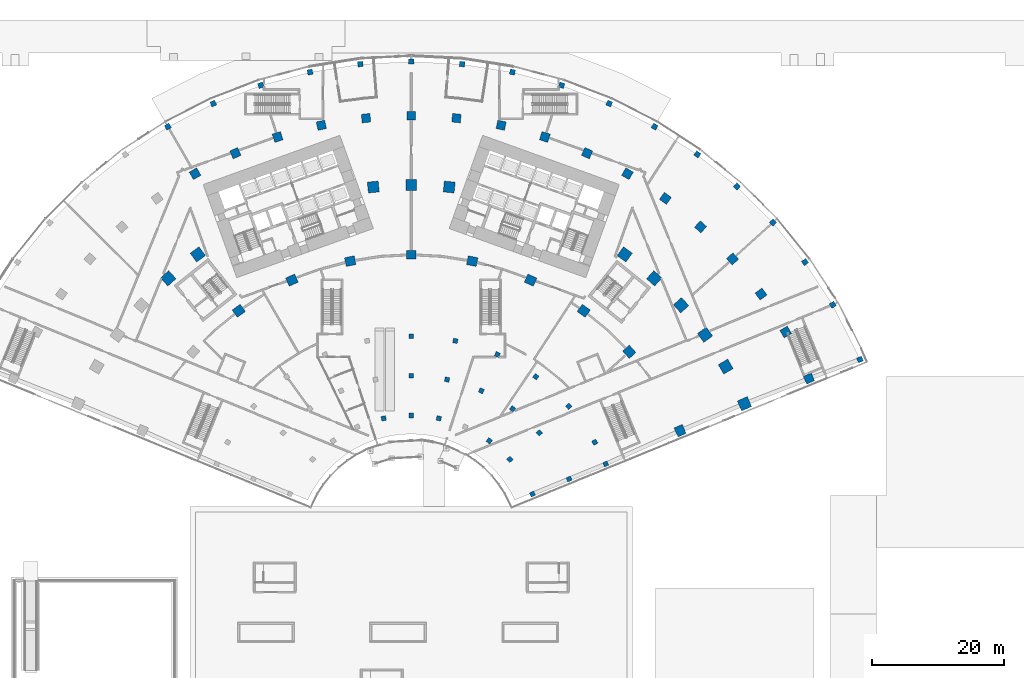
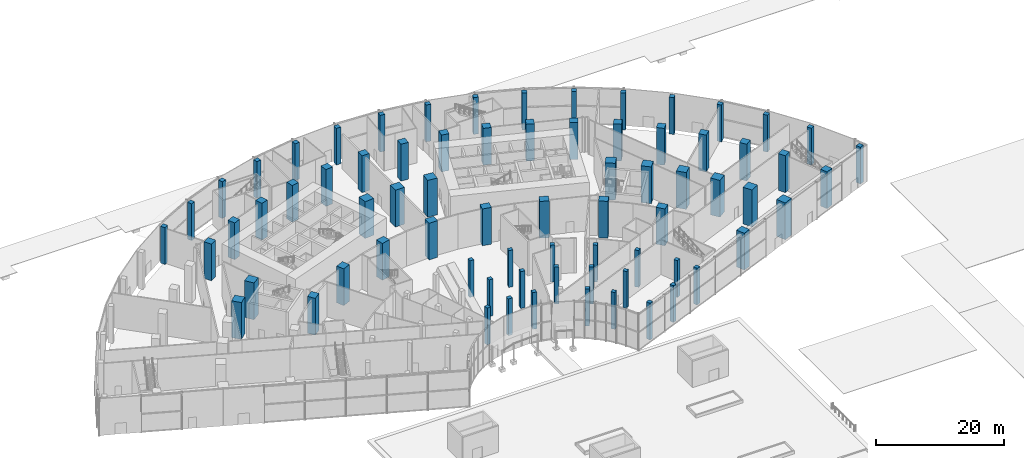
# One storey, part 6 of 60: 73 columns.
"""IFC4 building model written with IfcOpenShell, lengths in metres."""

from ifc_helpers import new_model, si_unit, direction, frame, origin, origin_2d, place, context, subcontext, project, spatial, rectangle, extrude, material, material_profile, profile_set, type_object, element, save


model = new_model("IFC4")

# Units and contexts
model_context = context("Model", 3, precision=1e-05, world=origin(), true_north=direction((0.0, 1.0)))
body_context = subcontext(model_context, "Body", "Model", "MODEL_VIEW")
ifc_project = project(units=[si_unit("LENGTHUNIT", "METRE"), si_unit("AREAUNIT", "SQUARE_METRE"), si_unit("VOLUMEUNIT", "CUBIC_METRE"), si_unit("PLANEANGLEUNIT", "RADIAN"), si_unit("MASSUNIT", "GRAM", prefix="KILO")], contexts=[model_context])

# Site, building, storey
site_placement = place(None, origin())
site = spatial("IfcSite", under=ifc_project, at=site_placement, CompositionType="ELEMENT")
building_placement = place(site_placement, origin())
building = spatial("IfcBuilding", under=site, at=building_placement, Name="Stone Belt Terrace Tower", CompositionType="ELEMENT")
storey_placement = place(building_placement, origin())
storey = spatial("IfcBuildingStorey", under=building, at=storey_placement, Name="L00", CompositionType="ELEMENT", Elevation=0.0)

# Columns
ifc_material_1 = material(Name="Concrete B80", Category="concrete")
ifc_material_profile_1 = material_profile(ifc_material_1, rectangle(XDim=1.300048828125, YDim=1.300048828125, at=origin_2d()), Name="RC 1300x1300")
ifc_profile_set_1 = profile_set([ifc_material_profile_1], Name="Concrete B80")
column_type_1 = type_object("IfcColumnType", Name="Column RC 1300x1300 B80", PredefinedType="COLUMN", material=ifc_profile_set_1)
for number, where, z_axis, x_axis, name in (
    (1, (-32.744384765625, 56.715087890625, 0.0), (0.0, 0.0, 1.0), (0.866025403784, 0.5, 0.0), "Column L00 R17"),
    (2, (-26.63671875, 59.8271484375, 0.0), (0.0, 0.0, 1.0), (0.913545457643, 0.406736643076, 0.0), "Column L00 R18"),
    (3, (-20.2373046875, 62.28369140625, 0.0), (0.0, 0.0, 1.0), (0.951056516295, 0.309016994375, 0.0), "Column L00 R19"),
    (4, (-13.615966796875, 64.057861328125, 0.0), (0.0, 0.0, 1.0), (0.978147600734, 0.207911690818, 0.0), "Column L00 R20"),
    (5, (-6.845458984375, 65.130126953125, 0.0), (0.0, 0.0, 1.0), (0.994521895368, 0.104528463268, 0.0), "Column L00 R21"),
    (6, (0.0, 65.489013671875, 0.0), (0.0, 0.0, 1.0), (1.0, 0.0, 0.0), "Column L00 R22"),
    (7, (6.845458984375, 65.130126953125, 0.0), (0.0, 0.0, 1.0), (0.994521895368, -0.104528463268, 0.0), "Column L00 R23"),
    (8, (13.615966796875, 64.057861328125, 0.0), (0.0, 0.0, 1.0), (0.978147600734, -0.207911690818, 0.0), "Column L00 R24"),
    (9, (20.2373046875, 62.28369140625, 0.0), (0.0, 0.0, 1.0), (0.951056516295, -0.309016994375, 0.0), "Column L00 R25"),
    (10, (26.63671875, 59.8271484375, 0.0), (0.0, 0.0, 1.0), (0.913545457643, -0.406736643076, 0.0), "Column L00 R26"),
    (11, (32.744384765625, 56.715087890625, 0.0), (0.0, 0.0, 1.0), (0.866025403784, -0.5, 0.0), "Column L00 R27"),
    (12, (38.493408203125, 52.981689453125, 0.0), (0.0, 0.0, 1.0), (0.809016994375, -0.587785252292, 0.0), "Column L00 R28"),
    (13, (43.820556640625, 48.667724609375, 0.0), (0.0, 0.0, 1.0), (0.743144825477, -0.669130606359, 0.0), "Column L00 R29"),
    (14, (48.667724609375, 43.820556640625, 0.0), (0.0, 0.0, 1.0), (0.669130606359, -0.743144825477, 0.0), "Column L00 R30"),
    (15, (52.981689453125, 38.493408203125, 0.0), (0.0, 0.0, 1.0), (0.587785252292, -0.809016994375, 0.0), "Column L00 R31"),
    (16, (56.715087890625, 32.744384765625, 0.0), (0.0, 0.0, 1.0), (0.5, -0.866025403784, 0.0), "Column L00 R32"),
    (17, (60.24169921875, 25.68505859375, 0.0), (0.0, 0.0, 1.0), (0.392203865004, -0.919878322538, 0.0), "Column L00 RB"),
):
    element("IfcColumn", number, at=place(storey_placement, frame(where, z_axis=z_axis, x_axis=x_axis)), inside=storey, type_object=column_type_1, Name=name, PredefinedType="COLUMN", context=body_context, shape_type="SweptSolid", body=[
        extrude(rectangle(XDim=1.300048828125, YDim=1.300048828125, at=origin_2d()), origin(), (0.0, 0.0, 1.0), 7.0),
    ])
ifc_material_profile_2 = material_profile(ifc_material_1, rectangle(XDim=1.5, YDim=1.35009765625, at=origin_2d()), Name="RC 1500x1350")
ifc_profile_set_2 = profile_set([ifc_material_profile_2], Name="Concrete B80")
column_type_2 = type_object("IfcColumnType", Name="Column RC 1500x1350 B80", PredefinedType="COLUMN", material=ifc_profile_set_2)
for number, where, z_axis, x_axis, name in (
    (18, (-26.1240234375, 35.956787109375, 0.0), (0.0, 0.0, 1.0), (0.809016994375, 0.587785252292, 0.0), "Column L00 P16"),
    (19, (-18.077392578125, 40.6025390625, 0.0), (0.0, 0.0, 1.0), (0.913545457643, 0.406736643076, 0.0), "Column L00 P18"),
    (20, (-9.240478515625, 43.473876953125, 0.0), (0.0, 0.0, 1.0), (0.978147600734, 0.207911690818, 0.0), "Column L00 P20"),
    (21, (0.0, 44.445068359375, 0.0), (0.0, 0.0, 1.0), (1.0, 0.0, 0.0), "Column L00 P22"),
    (22, (9.240478515625, 43.473876953125, 0.0), (0.0, 0.0, 1.0), (0.978147600734, -0.207911690818, 0.0), "Column L00 P24"),
    (23, (18.077392578125, 40.6025390625, 0.0), (0.0, 0.0, 1.0), (0.913545457643, -0.406736643076, 0.0), "Column L00 P26"),
    (24, (26.1240234375, 35.956787109375, 0.0), (0.0, 0.0, 1.0), (0.809016994375, -0.587785252292, 0.0), "Column L00 P28"),
    (25, (33.029052734375, 29.739501953125, 0.0), (0.0, 0.0, 1.0), (0.669130606359, -0.743144825477, 0.0), "Column L00 P30"),
    (26, (40.727294921875, 17.794677734375, 0.0), (0.0, 0.0, 1.0), (0.40037622141, -0.916350850564, 0.0), "Column L00 PB"),
):
    element("IfcColumn", number, at=place(storey_placement, frame(where, z_axis=z_axis, x_axis=x_axis)), inside=storey, type_object=column_type_2, Name=name, PredefinedType="COLUMN", context=body_context, shape_type="SweptSolid", body=[
        extrude(rectangle(XDim=1.5, YDim=1.35009765625, at=origin_2d()), origin(), (0.0, 0.0, 1.0), 7.0),
    ])
ifc_material_profile_3 = material_profile(ifc_material_1, rectangle(XDim=1.64990234375, YDim=1.64990234375, at=origin_2d()), Name="RC 1650x1650")
ifc_profile_set_3 = profile_set([ifc_material_profile_3], Name="Concrete B80")
column_type_3 = type_object("IfcColumnType", Name="Column RC 1650x1650 B80", PredefinedType="COLUMN", material=ifc_profile_set_3)
for number, where, z_axis, x_axis, name in (
    (27, (-36.80224609375, 40.873046875, 0.0), (0.0, 0.0, 1.0), (0.743144825477, 0.669130606359, 0.0), "Column L00 Q15"),
    (28, (-32.328125, 44.495849609375, 0.0), (0.0, 0.0, 1.0), (0.809016994375, 0.587785252292, 0.0), "Column L00 Q16"),
    (29, (-5.7490234375, 54.69873046875, 0.0), (0.0, 0.0, 1.0), (0.994521895368, 0.104528463268, 0.0), "Column L00 Q21"),
    (30, (0.0, 55.0, 0.0), (0.0, 0.0, 1.0), (1.0, 0.0, 0.0), "Column L00 Q22"),
    (31, (5.7490234375, 54.69873046875, 0.0), (0.0, 0.0, 1.0), (0.994521895368, -0.104528463268, 0.0), "Column L00 Q23"),
    (32, (32.328125, 44.495849609375, 0.0), (0.0, 0.0, 1.0), (0.809016994375, -0.587785252292, 0.0), "Column L00 Q28"),
    (33, (36.80224609375, 40.873046875, 0.0), (0.0, 0.0, 1.0), (0.743144825477, -0.669130606359, 0.0), "Column L00 Q29"),
    (34, (40.873046875, 36.80224609375, 0.0), (0.0, 0.0, 1.0), (0.669130606359, -0.743144825477, 0.0), "Column L00 Q30"),
    (35, (44.495849609375, 32.328125, 0.0), (0.0, 0.0, 1.0), (0.587785252292, -0.809016994375, 0.0), "Column L00 Q31"),
    (36, (47.63134765625, 27.5, 0.0), (0.0, 0.0, 1.0), (0.5, -0.866025403784, 0.0), "Column L00 Q32"),
    (37, (50.466064453125, 21.867431640625, 0.0), (0.0, 0.0, 1.0), (0.397588335471, -0.917563902678, 0.0), "Column L00 QB"),
):
    element("IfcColumn", number, at=place(storey_placement, frame(where, z_axis=z_axis, x_axis=x_axis)), inside=storey, type_object=column_type_3, Name=name, PredefinedType="COLUMN", context=body_context, shape_type="SweptSolid", body=[
        extrude(rectangle(XDim=1.64990234375, YDim=1.64990234375, at=origin_2d()), origin(), (0.0, 0.0, 1.0), 7.0),
    ])
ifc_material_2 = material(Name="Concrete B60", Category="concrete")
ifc_material_profile_4 = material_profile(ifc_material_2, rectangle(XDim=0.699951171875, YDim=0.699951171875, at=origin_2d()), Name="RC 700x700")
ifc_profile_set_4 = profile_set([ifc_material_profile_4], Name="Concrete B60")
column_type_4 = type_object("IfcColumnType", Name="Column RC 700x700 B60", PredefinedType="COLUMN", material=ifc_profile_set_4)
for number, where, z_axis, x_axis, name in (
    (38, (-4.178955078125, 19.660888671875, 0.0), (0.0, 0.0, 1.0), (0.978147600734, 0.207911690818, 0.0), "Column L00 M20"),
    (39, (0.0, 20.10009765625, 0.0), (0.0, 0.0, 1.0), (1.0, 0.0, 0.0), "Column L00 M22"),
    (40, (4.178955078125, 19.660888671875, 0.0), (0.0, 0.0, 1.0), (0.978147600734, -0.207911690818, 0.0), "Column L00 M24"),
    (41, (11.814453125, 16.26123046875, 0.0), (0.0, 0.0, 1.0), (0.809016994375, -0.587785252292, 0.0), "Column L00 M28"),
    (42, (14.937255859375, 13.449462890625, 0.0), (0.0, 0.0, 1.0), (0.669130606359, -0.743144825477, 0.0), "Column L00 M30"),
    (43, (18.3544921875, 8.19287109375, 0.0), (0.0, 0.0, 1.0), (0.40759905238, -0.913161000316, 0.0), "Column L00 MB"),
    (44, (0.0, 26.10009765625, 0.0), (0.0, 0.0, 1.0), (1.0, 0.0, 0.0), "Column L00 N22"),
    (45, (5.426513671875, 25.52978515625, 0.0), (0.0, 0.0, 1.0), (0.978147600734, -0.207911690818, 0.0), "Column L00 N24"),
    (46, (10.61572265625, 23.843505859375, 0.0), (0.0, 0.0, 1.0), (0.913545457643, -0.406736643076, 0.0), "Column L00 N26"),
    (47, (15.34130859375, 21.115234375, 0.0), (0.0, 0.0, 1.0), (0.809016994375, -0.587785252292, 0.0), "Column L00 N28"),
    (48, (19.39599609375, 17.46435546875, 0.0), (0.0, 0.0, 1.0), (0.669130606359, -0.743144825477, 0.0), "Column L00 N30"),
    (49, (23.908203125, 10.468994140625, 0.0), (0.0, 0.0, 1.0), (0.401114983453, -0.91602771249, 0.0), "Column L00 NB"),
    (50, (0.0, 32.10009765625, 0.0), (0.0, 0.0, 1.0), (1.0, 0.0, 0.0), "Column L00 O22"),
    (51, (6.674072265625, 31.3984375, 0.0), (0.0, 0.0, 1.0), (0.978147600734, -0.207911690818, 0.0), "Column L00 O24"),
    (52, (13.05615234375, 29.32470703125, 0.0), (0.0, 0.0, 1.0), (0.913545457643, -0.406736643076, 0.0), "Column L00 O26"),
    (53, (18.867919921875, 25.969482421875, 0.0), (0.0, 0.0, 1.0), (0.809016994375, -0.587785252292, 0.0), "Column L00 O28"),
    (54, (23.85498046875, 21.47900390625, 0.0), (0.0, 0.0, 1.0), (0.669130606359, -0.743144825477, 0.0), "Column L00 O30"),
    (55, (27.79931640625, 16.050048828125, 0.0), (0.0, 0.0, 1.0), (0.5, -0.866025403784, 0.0), "Column L00 O32"),
    (56, (29.46142578125, 12.7451171875, 0.0), (0.0, 0.0, 1.0), (0.39704377212, -0.917799674777, 0.0), "Column L00 OB"),
):
    element("IfcColumn", number, at=place(storey_placement, frame(where, z_axis=z_axis, x_axis=x_axis)), inside=storey, type_object=column_type_4, Name=name, PredefinedType="COLUMN", context=body_context, shape_type="SweptSolid", body=[
        extrude(rectangle(XDim=0.699951171875, YDim=0.699951171875, at=origin_2d()), origin(), (0.0, 0.0, 1.0), 7.0),
    ])
ifc_material_profile_5 = material_profile(ifc_material_2, rectangle(XDim=0.800048828125, YDim=0.800048828125, at=origin_2d()), Name="RC 800x800")
ifc_profile_set_5 = profile_set([ifc_material_profile_5], Name="Concrete B60")
column_type_5 = type_object("IfcColumnType", Name="Column RC 800x800 B60", PredefinedType="COLUMN", material=ifc_profile_set_5)
for number, where, z_axis, x_axis, name in (
    (57, (-36.864013671875, 63.85009765625, 0.0), (0.0, 0.0, 1.0), (0.866025403784, 0.5, 0.0), "Column L00 S17"),
    (58, (-29.98779296875, 67.353759765625, 0.0), (0.0, 0.0, 1.0), (0.913545457643, 0.406736643076, 0.0), "Column L00 S18"),
    (59, (-22.783203125, 70.119384765625, 0.0), (0.0, 0.0, 1.0), (0.951056516295, 0.309016994375, 0.0), "Column L00 S19"),
    (60, (-15.328857421875, 72.11669921875, 0.0), (0.0, 0.0, 1.0), (0.978147600734, 0.207911690818, 0.0), "Column L00 S20"),
    (61, (-7.706787109375, 73.323974609375, 0.0), (0.0, 0.0, 1.0), (0.994521895368, 0.104528463268, 0.0), "Column L00 S21"),
    (62, (0.0, 73.727783203125, 0.0), (0.0, 0.0, 1.0), (1.0, 0.0, 0.0), "Column L00 S22"),
    (63, (7.706787109375, 73.323974609375, 0.0), (0.0, 0.0, 1.0), (0.994521895368, -0.104528463268, 0.0), "Column L00 S23"),
    (64, (15.328857421875, 72.11669921875, 0.0), (0.0, 0.0, 1.0), (0.978147600734, -0.207911690818, 0.0), "Column L00 S24"),
    (65, (22.783203125, 70.119384765625, 0.0), (0.0, 0.0, 1.0), (0.951056516295, -0.309016994375, 0.0), "Column L00 S25"),
    (66, (29.98779296875, 67.353759765625, 0.0), (0.0, 0.0, 1.0), (0.913545457643, -0.406736643076, 0.0), "Column L00 S26"),
    (67, (36.864013671875, 63.85009765625, 0.0), (0.0, 0.0, 1.0), (0.866025403784, -0.5, 0.0), "Column L00 S27"),
    (68, (43.336181640625, 59.647216796875, 0.0), (0.0, 0.0, 1.0), (0.809016994375, -0.587785252292, 0.0), "Column L00 S28"),
    (69, (49.33349609375, 54.79052734375, 0.0), (0.0, 0.0, 1.0), (0.743144825477, -0.669130606359, 0.0), "Column L00 S29"),
    (70, (54.79052734375, 49.33349609375, 0.0), (0.0, 0.0, 1.0), (0.669130606359, -0.743144825477, 0.0), "Column L00 S30"),
    (71, (59.647216796875, 43.336181640625, 0.0), (0.0, 0.0, 1.0), (0.587785252292, -0.809016994375, 0.0), "Column L00 S31"),
    (72, (63.85009765625, 36.864013671875, 0.0), (0.0, 0.0, 1.0), (0.5, -0.866025403784, 0.0), "Column L00 S32"),
    (73, (67.96337890625, 28.57958984375, 0.0), (0.0, 0.0, 1.0), (0.387636254736, -0.921812418019, 0.0), "Column L00 SB"),
):
    element("IfcColumn", number, at=place(storey_placement, frame(where, z_axis=z_axis, x_axis=x_axis)), inside=storey, type_object=column_type_5, Name=name, PredefinedType="COLUMN", context=body_context, shape_type="SweptSolid", body=[
        extrude(rectangle(XDim=0.800048828125, YDim=0.800048828125, at=origin_2d()), origin(), (0.0, 0.0, 1.0), 7.0),
    ])

save(model, "model.ifc")
